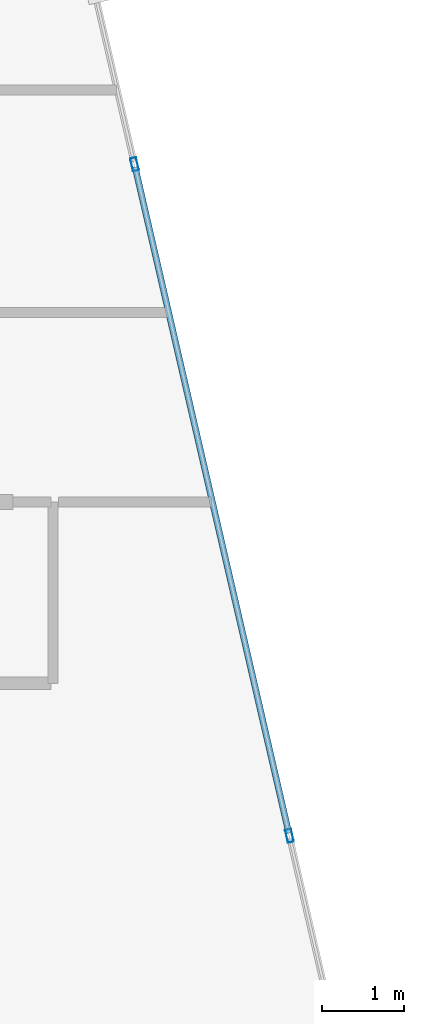
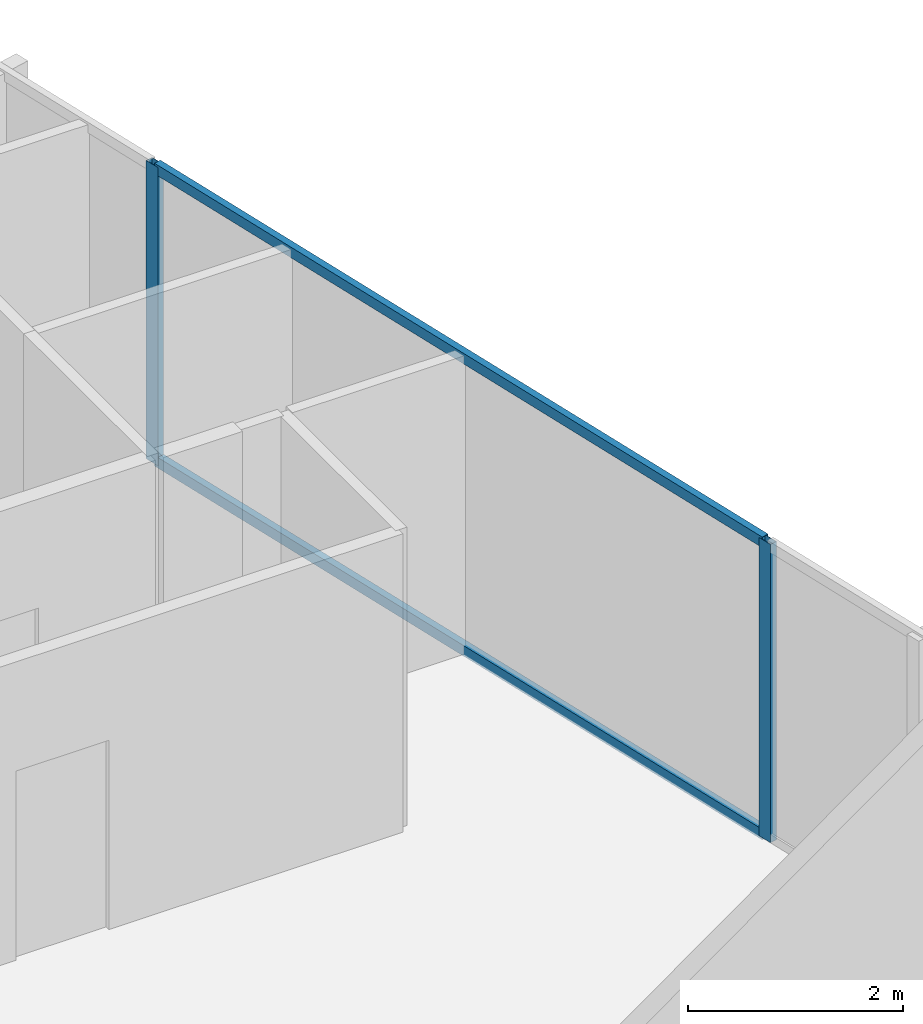
# One storey, part 20 of 29: 4 members, 1 element without a shape of its own.
"""IFC4 building model written with IfcOpenShell, lengths in metres."""

from ifc_helpers import new_model, si_unit, direction, frame, origin, origin_2d, place, context, subcontext, project, spatial, hollow_rectangle, extrude, material, layer, layer_set, material_profile, profile_set, type_object, element, aggregate, save


model = new_model("IFC4")

# Units and contexts
model_context = context("Model", 3, precision=1e-05, world=origin(), true_north=direction((0.0, 1.0)))
body_context = subcontext(model_context, "Body", "Model", "MODEL_VIEW")
ifc_project = project(units=[si_unit("LENGTHUNIT", "METRE"), si_unit("AREAUNIT", "SQUARE_METRE"), si_unit("VOLUMEUNIT", "CUBIC_METRE"), si_unit("PLANEANGLEUNIT", "RADIAN"), si_unit("MASSUNIT", "GRAM", prefix="KILO")], contexts=[model_context])

# Site, building, storey
site_placement = place(None, origin())
site = spatial("IfcSite", under=ifc_project, at=site_placement, CompositionType="ELEMENT")
building_placement = place(site_placement, origin())
building = spatial("IfcBuilding", under=site, at=building_placement, Name="Keshet Zoharim Tower", CompositionType="ELEMENT")
storey_placement = place(building_placement, frame((0.0, 0.0, 172.800048828125)))
storey = spatial("IfcBuildingStorey", under=building, at=storey_placement, Name="L42", CompositionType="ELEMENT", Elevation=172.800048828125)

# Curtain wall, members
ifc_material = material(Name="Aluminium 6063-T6", Category="aluminium")
ifc_layer = layer(ifc_material, 0.139892578125)
ifc_layer_set = layer_set([ifc_layer], Name="Aluminium 6063-T6")
curtain_wall_type = type_object("IfcCurtainWallType", Name="CW-SYS-05", PredefinedType="NOTDEFINED", material=ifc_layer_set)
curtain_wall_placement = place(storey_placement, origin())
curtain_wall = element("IfcCurtainWall", 1, at=curtain_wall_placement, inside=storey, type_object=curtain_wall_type, Name="L42 Unitised Curtain Wall 19", PredefinedType="NOTDEFINED")
ifc_material_profile_1 = material_profile(ifc_material, hollow_rectangle(XDim=0.074951171875, YDim=0.159912109375, WallThickness=0.00390625, at=origin_2d()), Name="MUL-75x160")
ifc_profile_set_1 = profile_set([ifc_material_profile_1], Name="Aluminium 6063-T6")
member_type_1 = type_object("IfcMemberType", Name="CWM-M15", PredefinedType="MULLION", material=ifc_profile_set_1)
member_1_placement = place(storey_placement, frame((41.23876953125, 44.199951171875, 0.0), z_axis=(0.0, 0.0, 1.0), x_axis=(0.974393882313, 0.224847864369, 0.0)))
member_1 = element("IfcMember", 2, at=member_1_placement, type_object=member_type_1, Name="CW-05 mullion 2", PredefinedType="MULLION", context=body_context, shape_type="SweptSolid", body=[
    extrude(hollow_rectangle(XDim=0.074951171875, YDim=0.159912109375, WallThickness=0.00390625, at=origin_2d()), origin(), (0.0, 0.0, 1.0), 3.389892578125),
])
member_2_placement = place(storey_placement, frame((43.119384765625, 36.050048828125, 0.0), z_axis=(0.0, 0.0, 1.0), x_axis=(0.974393882313, 0.224847864369, 0.0)))
member_2 = element("IfcMember", 3, at=member_2_placement, type_object=member_type_1, Name="CW-05 mullion 3", PredefinedType="MULLION", context=body_context, shape_type="SweptSolid", body=[
    extrude(hollow_rectangle(XDim=0.074951171875, YDim=0.159912109375, WallThickness=0.00390625, at=origin_2d()), origin(), (0.0, 0.0, 1.0), 3.389892578125),
])
ifc_material_profile_2 = material_profile(ifc_material, hollow_rectangle(XDim=0.074951171875, YDim=0.1201171875, WallThickness=0.00390625, at=origin_2d()), Name="TRN-75x120")
ifc_profile_set_2 = profile_set([ifc_material_profile_2], Name="Aluminium 6063-T6")
member_type_2 = type_object("IfcMemberType", Name="CWT-T12", PredefinedType="USERDEFINED", material=ifc_profile_set_2)
member_3_placement = place(storey_placement, frame((41.24658203125, 44.166015625, 0.034912109375), z_axis=(0.224848758198, -0.974393676055, 0.0), x_axis=(0.974393676055, 0.224848758198, 0.0)))
member_3 = element("IfcMember", 4, at=member_3_placement, type_object=member_type_2, Name="CW-05 transom 2.1", ObjectType="TRANSOM", PredefinedType="USERDEFINED", context=body_context, shape_type="SweptSolid", body=[
    extrude(hollow_rectangle(XDim=0.074951171875, YDim=0.1201171875, WallThickness=0.00390625, at=origin_2d()), origin(), (0.0, 0.0, 1.0), 8.29443359375),
])
member_4_placement = place(storey_placement, frame((41.24658203125, 44.166015625, 3.35498046875), z_axis=(0.224848758198, -0.974393676055, 0.0), x_axis=(0.974393676055, 0.224848758198, 0.0)))
member_4 = element("IfcMember", 5, at=member_4_placement, type_object=member_type_2, Name="CW-05 transom 2.2", ObjectType="TRANSOM", PredefinedType="USERDEFINED", context=body_context, shape_type="SweptSolid", body=[
    extrude(hollow_rectangle(XDim=0.074951171875, YDim=0.1201171875, WallThickness=0.00390625, at=origin_2d()), origin(), (0.0, 0.0, 1.0), 8.29443359375),
])
aggregate(curtain_wall, [member_1, member_2, member_3, member_4])

save(model, "model.ifc")
